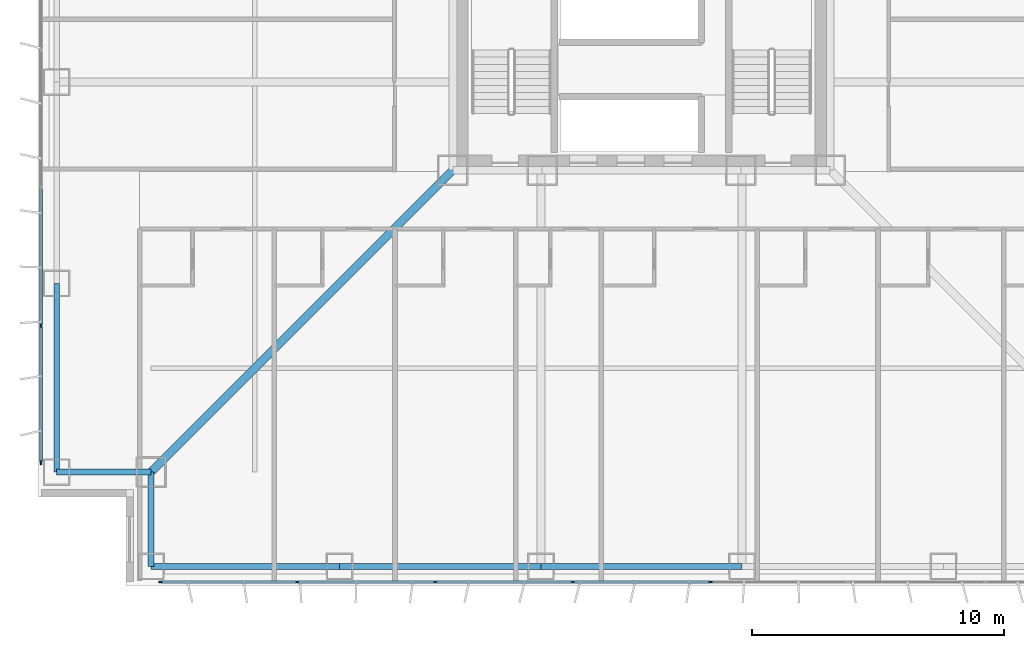
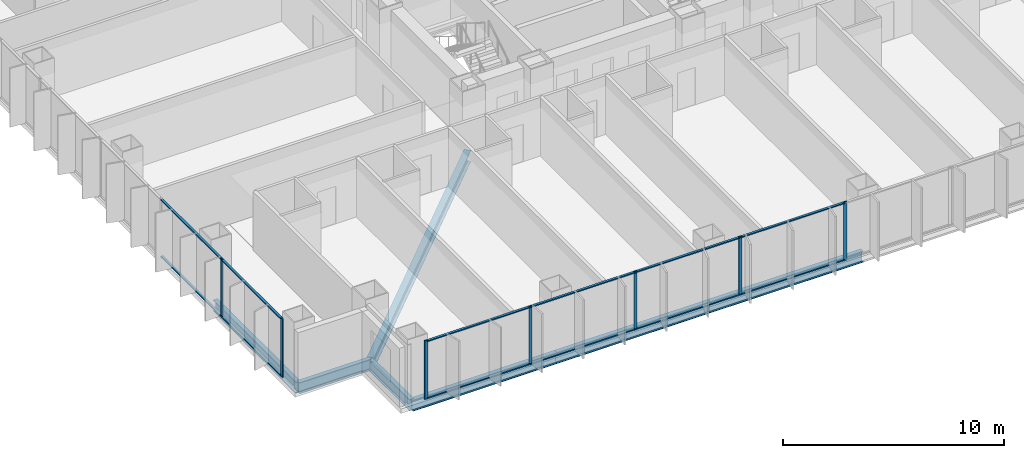
# One storey, part 2 of 19: 19 members, 7 beams, 2 elements without a shape of their own.
"""IFC4 building model written with IfcOpenShell, lengths in metres."""

from ifc_helpers import new_model, si_unit, direction, frame, origin, origin_2d, place, context, subcontext, project, spatial, rectangle, i_section, extrude, material, layer, layer_set, material_profile, profile_set, type_object, element, aggregate, save


model = new_model("IFC4")

# Units and contexts
model_context = context("Model", 3, precision=1e-05, world=origin(), true_north=direction((0.0, 1.0)))
body_context = subcontext(model_context, "Body", "Model", "MODEL_VIEW")
ifc_project = project(units=[si_unit("LENGTHUNIT", "METRE"), si_unit("AREAUNIT", "SQUARE_METRE"), si_unit("VOLUMEUNIT", "CUBIC_METRE"), si_unit("PLANEANGLEUNIT", "RADIAN"), si_unit("MASSUNIT", "GRAM", prefix="KILO")], contexts=[model_context])

# Site, building, storey
site_placement = place(None, origin())
site = spatial("IfcSite", under=ifc_project, at=site_placement, CompositionType="ELEMENT")
building_placement = place(site_placement, origin())
building = spatial("IfcBuilding", under=site, at=building_placement, Name="Trevonay Congress Spire", CompositionType="ELEMENT")
storey_placement = place(building_placement, frame((0.0, 0.0, 58.5)))
storey = spatial("IfcBuildingStorey", under=building, at=storey_placement, Name="L14", CompositionType="ELEMENT", Elevation=58.5)

# Beams
ifc_material_1 = material(Name="Steel ASTM A572 Grade 50", Category="steel")
ifc_material_profile_1 = material_profile(ifc_material_1, i_section(OverallWidth=0.324951171875, OverallDepth=0.615966796875, WebThickness=0.013916015625, FlangeThickness=0.021484375, FilletRadius=0.01806640625, at=origin_2d()), Name="W610x174")
ifc_profile_set_1 = profile_set([ifc_material_profile_1], Name="Steel ASTM A572 Grade 50")
beam_type_1 = type_object("IfcBeamType", Name="BM-GIRD-W610X174", PredefinedType="BEAM", material=ifc_profile_set_1)
beam_placement = place(storey_placement, frame((-7.5, -7.5, -0.55810546875), z_axis=(-0.707106781187, -0.707106781187, 0.0), x_axis=(0.707106781187, -0.707106781187, 0.0)))
element("IfcBeam", 1, at=beam_placement, inside=storey, type_object=beam_type_1, Name="L14 structural beam BM-L14-CDSW", PredefinedType="BEAM", context=body_context, shape_type="SweptSolid", body=[
    extrude(i_section(OverallWidth=0.324951171875, OverallDepth=0.615966796875, WebThickness=0.013916015625, FlangeThickness=0.021484375, FilletRadius=0.01806640625, at=origin_2d()), origin(), (0.0, 0.0, 1.0), 16.970458984375),
])
ifc_material_profile_2 = material_profile(ifc_material_1, i_section(OverallWidth=0.22998046875, OverallDepth=0.616943359375, WebThickness=0.01318359375, FlangeThickness=0.022216796875, FilletRadius=0.01611328125, at=origin_2d()), Name="W610x140")
ifc_profile_set_2 = profile_set([ifc_material_profile_2], Name="Steel ASTM A572 Grade 50")
beam_type_2 = type_object("IfcBeamType", Name="BM-RING-W610X140", PredefinedType="BEAM", material=ifc_profile_set_2)
for number, where, z_axis, x_axis, name in (
    (2, (-19.5, -23.25, -0.55859375), (1.0, 0.0, 0.0), (0.0, 1.0, 0.0), "L14 structural beam BM-L14-PS1"),
    (3, (-23.25, -19.5, -0.55859375), (0.0, 1.0, 0.0), (-1.0, 0.0, 0.0), "L14 structural beam BM-L14-PW1"),
):
    element("IfcBeam", number, at=place(storey_placement, frame(where, z_axis=z_axis, x_axis=x_axis)), inside=storey, type_object=beam_type_2, Name=name, PredefinedType="BEAM", context=body_context, shape_type="SweptSolid", body=[
        extrude(i_section(OverallWidth=0.22998046875, OverallDepth=0.616943359375, WebThickness=0.01318359375, FlangeThickness=0.022216796875, FilletRadius=0.01611328125, at=origin_2d()), origin(), (0.0, 0.0, 1.0), 7.5),
    ])
for number, where, z_axis, x_axis, name in (
    (4, (-12.0, -23.25, -0.55859375), (1.0, 0.0, 0.0), (0.0, 1.0, 0.0), "L14 structural beam BM-L14-PS2"),
    (5, (-4.0, -23.25, -0.55859375), (1.0, 0.0, 0.0), (0.0, 1.0, 0.0), "L14 structural beam BM-L14-PS3"),
):
    element("IfcBeam", number, at=place(storey_placement, frame(where, z_axis=z_axis, x_axis=x_axis)), inside=storey, type_object=beam_type_2, Name=name, PredefinedType="BEAM", context=body_context, shape_type="SweptSolid", body=[
        extrude(i_section(OverallWidth=0.22998046875, OverallDepth=0.616943359375, WebThickness=0.01318359375, FlangeThickness=0.022216796875, FilletRadius=0.01611328125, at=origin_2d()), origin(), (0.0, 0.0, 1.0), 8.0),
    ])
for number, where, z_axis, x_axis, name in (
    (6, (-19.5, -23.25, -0.55859375), (0.0, 1.0, 0.0), (-1.0, 0.0, 0.0), "L14 structural beam BM-L14-N1SW"),
    (7, (-23.25, -19.5, -0.55859375), (1.0, 0.0, 0.0), (0.0, 1.0, 0.0), "L14 structural beam BM-L14-N2SW"),
):
    element("IfcBeam", number, at=place(storey_placement, frame(where, z_axis=z_axis, x_axis=x_axis)), inside=storey, type_object=beam_type_2, Name=name, PredefinedType="BEAM", context=body_context, shape_type="SweptSolid", body=[
        extrude(i_section(OverallWidth=0.22998046875, OverallDepth=0.616943359375, WebThickness=0.01318359375, FlangeThickness=0.022216796875, FilletRadius=0.01611328125, at=origin_2d()), origin(), (0.0, 0.0, 1.0), 3.75),
    ])

# Curtain wall, members
ifc_material_2 = material(Name="Pale Anodised Aluminium EN AW-6063-T6", Category="aluminium")
ifc_layer = layer(ifc_material_2, 0.179931640625, Name="Pale Anodised Aluminium EN AW-6063-T6")
ifc_layer_set = layer_set([ifc_layer], Name="Pale Anodised Aluminium EN AW-6063-T6")
curtain_wall_type = type_object("IfcCurtainWallType", Name="CW-SYS02-HOTEL-PALE-METAL", PredefinedType="NOTDEFINED", material=ifc_layer_set)
curtain_wall_1_placement = place(storey_placement, origin())
curtain_wall_1 = element("IfcCurtainWall", 8, at=curtain_wall_1_placement, inside=storey, type_object=curtain_wall_type, Name="L14 S unitised curtain wall", PredefinedType="NOTDEFINED")
ifc_material_profile_3 = material_profile(ifc_material_2, rectangle(XDim=0.06005859375, YDim=0.159912109375, at=origin_2d()), Name="CW-MULLION-160-ALUMINIUM")
ifc_profile_set_3 = profile_set([ifc_material_profile_3], Name="Pale Anodised Aluminium EN AW-6063-T6")
member_type_1 = type_object("IfcMemberType", Name="CW-MULLION-160-ALUMINIUM", PredefinedType="MULLION", material=ifc_profile_set_3)
member_1_placement = place(storey_placement, frame((-19.1201171875, -23.8798828125, 0.0), z_axis=(0.0, 0.0, 1.0), x_axis=(0.0, 1.0, 0.0)))
member_1 = element("IfcMember", 9, at=member_1_placement, type_object=member_type_1, Name="CW02 mullion 1", PredefinedType="MULLION", context=body_context, shape_type="SweptSolid", body=[
    extrude(rectangle(XDim=0.06005859375, YDim=0.159912109375, at=origin_2d()), origin(), (0.0, 0.0, 1.0), 3.25),
])
member_2_placement = place(storey_placement, frame((-13.678466796875, -23.8798828125, 0.0), z_axis=(0.0, 0.0, 1.0), x_axis=(0.0, 1.0, 0.0)))
member_2 = element("IfcMember", 10, at=member_2_placement, type_object=member_type_1, Name="CW02 mullion 2", PredefinedType="MULLION", context=body_context, shape_type="SweptSolid", body=[
    extrude(rectangle(XDim=0.06005859375, YDim=0.159912109375, at=origin_2d()), origin(), (0.0, 0.0, 1.0), 3.25),
])
member_3_placement = place(storey_placement, frame((-8.20703125, -23.8798828125, 0.0), z_axis=(0.0, 0.0, 1.0), x_axis=(0.0, 1.0, 0.0)))
member_3 = element("IfcMember", 11, at=member_3_placement, type_object=member_type_1, Name="CW02 mullion 3", PredefinedType="MULLION", context=body_context, shape_type="SweptSolid", body=[
    extrude(rectangle(XDim=0.06005859375, YDim=0.159912109375, at=origin_2d()), origin(), (0.0, 0.0, 1.0), 3.25),
])
member_4_placement = place(storey_placement, frame((-2.735595703125, -23.8798828125, 0.0), z_axis=(0.0, 0.0, 1.0), x_axis=(0.0, 1.0, 0.0)))
member_4 = element("IfcMember", 12, at=member_4_placement, type_object=member_type_1, Name="CW02 mullion 4", PredefinedType="MULLION", context=body_context, shape_type="SweptSolid", body=[
    extrude(rectangle(XDim=0.06005859375, YDim=0.159912109375, at=origin_2d()), origin(), (0.0, 0.0, 1.0), 3.25),
])
member_5_placement = place(storey_placement, frame((2.735595703125, -23.8798828125, 0.0), z_axis=(0.0, 0.0, 1.0), x_axis=(0.0, 1.0, 0.0)))
member_5 = element("IfcMember", 13, at=member_5_placement, type_object=member_type_1, Name="CW02 mullion 5", PredefinedType="MULLION", context=body_context, shape_type="SweptSolid", body=[
    extrude(rectangle(XDim=0.06005859375, YDim=0.159912109375, at=origin_2d()), origin(), (0.0, 0.0, 1.0), 3.25),
])

curtain_wall_2_placement = place(storey_placement, origin())
curtain_wall_2 = element("IfcCurtainWall", 14, at=curtain_wall_2_placement, inside=storey, type_object=curtain_wall_type, Name="L14 W unitised curtain wall", PredefinedType="NOTDEFINED")
member_6_placement = place(storey_placement, frame((-23.8798828125, -19.1201171875, 0.0), z_axis=(0.0, 0.0, 1.0), x_axis=(-1.0, 0.0, 0.0)))
member_6 = element("IfcMember", 15, at=member_6_placement, type_object=member_type_1, Name="CW02 mullion 1", PredefinedType="MULLION", context=body_context, shape_type="SweptSolid", body=[
    extrude(rectangle(XDim=0.06005859375, YDim=0.159912109375, at=origin_2d()), origin(), (0.0, 0.0, 1.0), 3.25),
])
member_7_placement = place(storey_placement, frame((-23.8798828125, -13.678466796875, 0.0), z_axis=(0.0, 0.0, 1.0), x_axis=(-1.0, 0.0, 0.0)))
member_7 = element("IfcMember", 16, at=member_7_placement, type_object=member_type_1, Name="CW02 mullion 2", PredefinedType="MULLION", context=body_context, shape_type="SweptSolid", body=[
    extrude(rectangle(XDim=0.06005859375, YDim=0.159912109375, at=origin_2d()), origin(), (0.0, 0.0, 1.0), 3.25),
])

# Member
ifc_material_profile_4 = material_profile(ifc_material_2, rectangle(XDim=0.1201171875, YDim=0.06005859375, at=origin_2d()), Name="CW-TRANSOM-120-ALUMINIUM")
ifc_profile_set_4 = profile_set([ifc_material_profile_4], Name="Pale Anodised Aluminium EN AW-6063-T6")
member_type_2 = type_object("IfcMemberType", Name="CW-TRANSOM-120-ALUMINIUM", PredefinedType="USERDEFINED", material=ifc_profile_set_4)
member_8_placement = place(storey_placement, frame((-19.090087890625, -23.8798828125, 0.06005859375), z_axis=(1.0, 0.0, 0.0), x_axis=(0.0, 1.0, 0.0)))
member_8 = element("IfcMember", 17, at=member_8_placement, type_object=member_type_2, Name="CW02 transom 1.1", ObjectType="TRANSOM", PredefinedType="USERDEFINED", context=body_context, shape_type="SweptSolid", body=[
    extrude(rectangle(XDim=0.1201171875, YDim=0.06005859375, at=origin_2d()), origin(), (0.0, 0.0, 1.0), 5.381591796875),
])

member_9_placement = place(storey_placement, frame((-19.090087890625, -23.8798828125, 3.18994140625), z_axis=(1.0, 0.0, 0.0), x_axis=(0.0, 1.0, 0.0)))
member_9 = element("IfcMember", 18, at=member_9_placement, type_object=member_type_2, Name="CW02 transom 1.2", ObjectType="TRANSOM", PredefinedType="USERDEFINED", context=body_context, shape_type="SweptSolid", body=[
    extrude(rectangle(XDim=0.1201171875, YDim=0.06005859375, at=origin_2d()), origin(), (0.0, 0.0, 1.0), 5.381591796875),
])

member_10_placement = place(storey_placement, frame((-13.648681640625, -23.8798828125, 0.06005859375), z_axis=(1.0, 0.0, 0.0), x_axis=(0.0, 1.0, 0.0)))
member_10 = element("IfcMember", 19, at=member_10_placement, type_object=member_type_2, Name="CW02 transom 2.1", ObjectType="TRANSOM", PredefinedType="USERDEFINED", context=body_context, shape_type="SweptSolid", body=[
    extrude(rectangle(XDim=0.1201171875, YDim=0.06005859375, at=origin_2d()), origin(), (0.0, 0.0, 1.0), 5.41162109375),
])

member_11_placement = place(storey_placement, frame((-13.648681640625, -23.8798828125, 3.18994140625), z_axis=(1.0, 0.0, 0.0), x_axis=(0.0, 1.0, 0.0)))
member_11 = element("IfcMember", 20, at=member_11_placement, type_object=member_type_2, Name="CW02 transom 2.2", ObjectType="TRANSOM", PredefinedType="USERDEFINED", context=body_context, shape_type="SweptSolid", body=[
    extrude(rectangle(XDim=0.1201171875, YDim=0.06005859375, at=origin_2d()), origin(), (0.0, 0.0, 1.0), 5.41162109375),
])

member_12_placement = place(storey_placement, frame((-8.17724609375, -23.8798828125, 0.06005859375), z_axis=(1.0, 0.0, 0.0), x_axis=(0.0, 1.0, 0.0)))
member_12 = element("IfcMember", 21, at=member_12_placement, type_object=member_type_2, Name="CW02 transom 3.1", ObjectType="TRANSOM", PredefinedType="USERDEFINED", context=body_context, shape_type="SweptSolid", body=[
    extrude(rectangle(XDim=0.1201171875, YDim=0.06005859375, at=origin_2d()), origin(), (0.0, 0.0, 1.0), 5.41162109375),
])

member_13_placement = place(storey_placement, frame((-8.17724609375, -23.8798828125, 3.18994140625), z_axis=(1.0, 0.0, 0.0), x_axis=(0.0, 1.0, 0.0)))
member_13 = element("IfcMember", 22, at=member_13_placement, type_object=member_type_2, Name="CW02 transom 3.2", ObjectType="TRANSOM", PredefinedType="USERDEFINED", context=body_context, shape_type="SweptSolid", body=[
    extrude(rectangle(XDim=0.1201171875, YDim=0.06005859375, at=origin_2d()), origin(), (0.0, 0.0, 1.0), 5.41162109375),
])

member_14_placement = place(storey_placement, frame((-2.705810546875, -23.8798828125, 0.06005859375), z_axis=(1.0, 0.0, 0.0), x_axis=(0.0, 1.0, 0.0)))
member_14 = element("IfcMember", 23, at=member_14_placement, type_object=member_type_2, Name="CW02 transom 4.1", ObjectType="TRANSOM", PredefinedType="USERDEFINED", context=body_context, shape_type="SweptSolid", body=[
    extrude(rectangle(XDim=0.1201171875, YDim=0.06005859375, at=origin_2d()), origin(), (0.0, 0.0, 1.0), 5.41162109375),
])

member_15_placement = place(storey_placement, frame((-2.705810546875, -23.8798828125, 3.18994140625), z_axis=(1.0, 0.0, 0.0), x_axis=(0.0, 1.0, 0.0)))
member_15 = element("IfcMember", 24, at=member_15_placement, type_object=member_type_2, Name="CW02 transom 4.2", ObjectType="TRANSOM", PredefinedType="USERDEFINED", context=body_context, shape_type="SweptSolid", body=[
    extrude(rectangle(XDim=0.1201171875, YDim=0.06005859375, at=origin_2d()), origin(), (0.0, 0.0, 1.0), 5.41162109375),
])

aggregate(curtain_wall_1, [member_1, member_2, member_3, member_4, member_5, member_8, member_9, member_10, member_11, member_12, member_13, member_14, member_15])

member_16_placement = place(storey_placement, frame((-23.8798828125, -19.090087890625, 0.06005859375), z_axis=(0.0, 1.0, 0.0), x_axis=(-1.0, 0.0, 0.0)))
member_16 = element("IfcMember", 25, at=member_16_placement, type_object=member_type_2, Name="CW02 transom 1.1", ObjectType="TRANSOM", PredefinedType="USERDEFINED", context=body_context, shape_type="SweptSolid", body=[
    extrude(rectangle(XDim=0.1201171875, YDim=0.06005859375, at=origin_2d()), origin(), (0.0, 0.0, 1.0), 5.381591796875),
])

member_17_placement = place(storey_placement, frame((-23.8798828125, -19.090087890625, 3.18994140625), z_axis=(0.0, 1.0, 0.0), x_axis=(-1.0, 0.0, 0.0)))
member_17 = element("IfcMember", 26, at=member_17_placement, type_object=member_type_2, Name="CW02 transom 1.2", ObjectType="TRANSOM", PredefinedType="USERDEFINED", context=body_context, shape_type="SweptSolid", body=[
    extrude(rectangle(XDim=0.1201171875, YDim=0.06005859375, at=origin_2d()), origin(), (0.0, 0.0, 1.0), 5.381591796875),
])

member_18_placement = place(storey_placement, frame((-23.8798828125, -13.648681640625, 0.06005859375), z_axis=(0.0, 1.0, 0.0), x_axis=(-1.0, 0.0, 0.0)))
member_18 = element("IfcMember", 27, at=member_18_placement, type_object=member_type_2, Name="CW02 transom 2.1", ObjectType="TRANSOM", PredefinedType="USERDEFINED", context=body_context, shape_type="SweptSolid", body=[
    extrude(rectangle(XDim=0.1201171875, YDim=0.06005859375, at=origin_2d()), origin(), (0.0, 0.0, 1.0), 5.41162109375),
])

member_19_placement = place(storey_placement, frame((-23.8798828125, -13.648681640625, 3.18994140625), z_axis=(0.0, 1.0, 0.0), x_axis=(-1.0, 0.0, 0.0)))
member_19 = element("IfcMember", 28, at=member_19_placement, type_object=member_type_2, Name="CW02 transom 2.2", ObjectType="TRANSOM", PredefinedType="USERDEFINED", context=body_context, shape_type="SweptSolid", body=[
    extrude(rectangle(XDim=0.1201171875, YDim=0.06005859375, at=origin_2d()), origin(), (0.0, 0.0, 1.0), 5.41162109375),
])

aggregate(curtain_wall_2, [member_6, member_7, member_16, member_17, member_18, member_19])

save(model, "model.ifc")
